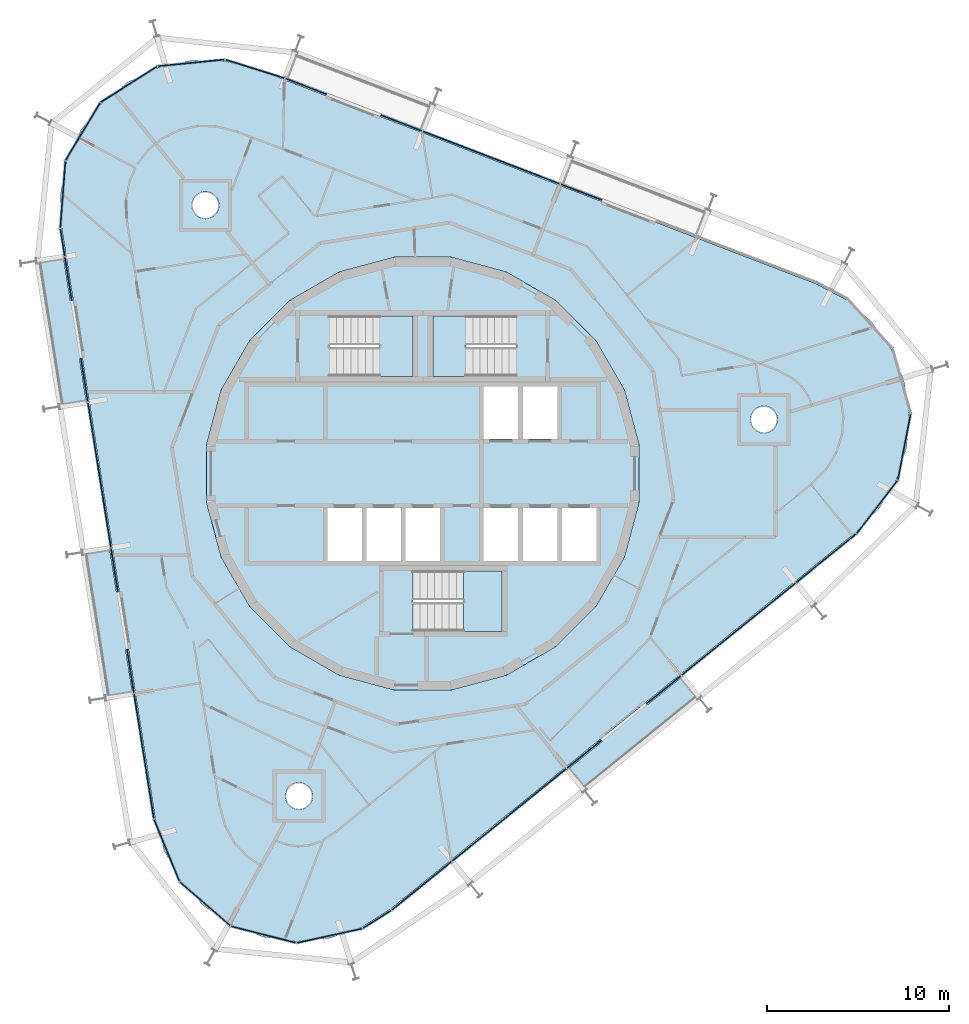
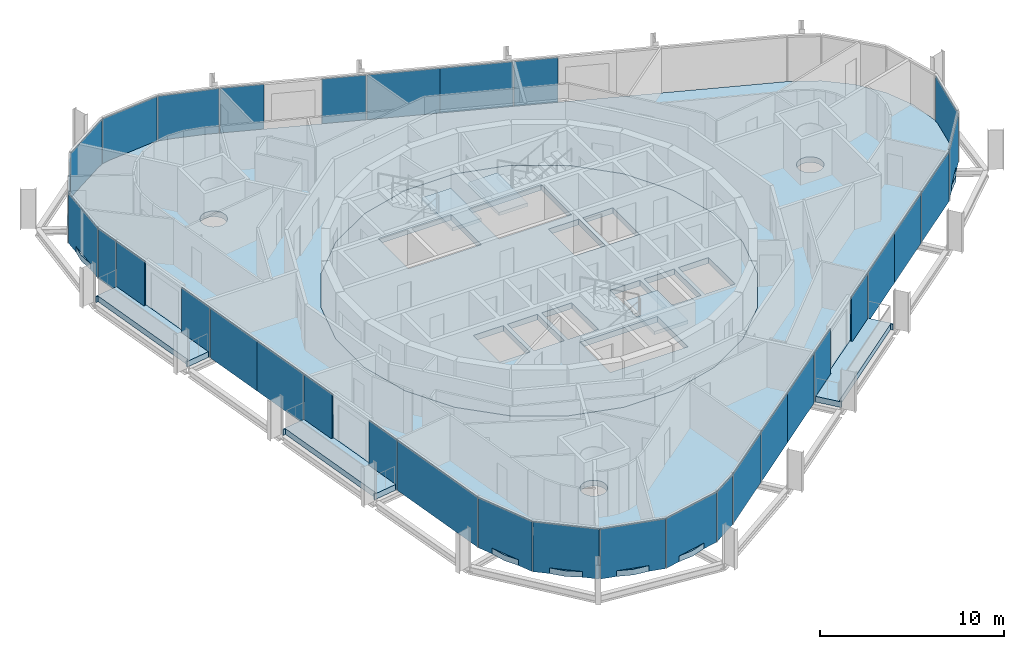
# One storey, part 10 of 17: 33 plates, 8 slabs, 9 elements without a shape of their own.
"""IFC4 building model written with IfcOpenShell, lengths in metres."""

from ifc_helpers import new_model, si_unit, direction, frame, origin, origin_2d, place, context, subcontext, project, spatial, polyline, rectangle, outline, extrude, material, layer, layer_set, type_object, element, aggregate, save


model = new_model("IFC4")

# Units and contexts
model_context = context("Model", 3, precision=1e-05, world=origin(), true_north=direction((0.0, 1.0)))
body_context = subcontext(model_context, "Body", "Model", "MODEL_VIEW")
ifc_project = project(units=[si_unit("LENGTHUNIT", "METRE"), si_unit("AREAUNIT", "SQUARE_METRE"), si_unit("VOLUMEUNIT", "CUBIC_METRE"), si_unit("PLANEANGLEUNIT", "RADIAN"), si_unit("MASSUNIT", "GRAM", prefix="KILO")], contexts=[model_context])

# Site, building, storey
site_placement = place(None, origin())
site = spatial("IfcSite", under=ifc_project, at=site_placement, CompositionType="ELEMENT")
building_placement = place(site_placement, origin())
building = spatial("IfcBuilding", under=site, at=building_placement, Name="Spindle Arch Residences", CompositionType="ELEMENT")
storey_placement = place(building_placement, frame((0.0, 0.0, 287.89990234375)))
storey = spatial("IfcBuildingStorey", under=building, at=storey_placement, Name="L74", CompositionType="ELEMENT", Elevation=287.89990234375)

# Slabs
ifc_material_1 = material(Name="Concrete C40/50", Category="concrete")
ifc_layer_1 = layer(ifc_material_1, 0.3798828125)
ifc_layer_set_1 = layer_set([ifc_layer_1], Name="Balcony slab 380")
slab_type_1 = type_object("IfcSlabType", Name="Balcony slab 380", PredefinedType="FLOOR", material=ifc_layer_set_1)
slab_1_placement = place(storey_placement, frame((0.0, 0.0, -0.3798828125)))
element("IfcSlab", 1, at=slab_1_placement, inside=storey, type_object=slab_type_1, Name="Balcony L74 bay 12", PredefinedType="FLOOR", context=body_context, shape_type="SweptSolid", body=[
    extrude(outline(polyline([(-21.224365234375, 11.611572265625), (-21.212646484375, 11.53759765625), (-21.064453125, 11.56103515625), (-19.843017578125, 3.849609375), (-19.9912109375, 3.826171875), (-19.9794921875, 3.751953125), (-18.5078125, 3.985107421875), (-18.8798828125, 6.334716796875), (-18.721923828125, 6.359619140625), (-19.22265625, 9.520263671875), (-19.380615234375, 9.4951171875), (-19.752685546875, 11.8447265625), (-21.224365234375, 11.611572265625)])), origin(), (0.0, 0.0, 1.0), 0.3798828125),
])
slab_2_placement = place(storey_placement, frame((0.0, 0.0, -0.3798828125)))
element("IfcSlab", 2, at=slab_2_placement, inside=storey, type_object=slab_type_1, Name="Balcony L74 bay 14", PredefinedType="FLOOR", context=body_context, shape_type="SweptSolid", body=[
    extrude(outline(polyline([(-18.687744140625, -4.40380859375), (-18.676025390625, -4.47802734375), (-18.52783203125, -4.45458984375), (-17.306396484375, -12.166015625), (-17.45458984375, -12.189453125), (-17.44287109375, -12.263427734375), (-15.97119140625, -12.030517578125), (-16.343505859375, -9.680908203125), (-16.185302734375, -9.656005859375), (-16.68603515625, -6.495361328125), (-16.843994140625, -6.520263671875), (-17.216064453125, -4.1708984375), (-18.687744140625, -4.40380859375)])), origin(), (0.0, 0.0, 1.0), 0.3798828125),
])
slab_3_placement = place(storey_placement, frame((0.0, 0.0, -0.3798828125)))
element("IfcSlab", 3, at=slab_3_placement, inside=storey, type_object=slab_type_1, Name="Balcony L74 bay 20", PredefinedType="FLOOR", context=body_context, shape_type="SweptSolid", body=[
    extrude(outline(polyline([(8.957275390625, -17.383544921875), (9.015625, -17.33642578125), (8.921142578125, -17.219970703125), (14.98876953125, -12.306396484375), (15.083251953125, -12.4228515625), (15.141357421875, -12.375732421875), (14.203857421875, -11.2177734375), (12.35498046875, -12.71484375), (12.25439453125, -12.590576171875), (9.767578125, -14.604248046875), (9.8681640625, -14.728759765625), (8.01953125, -16.2255859375), (8.957275390625, -17.383544921875)])), origin(), (0.0, 0.0, 1.0), 0.3798828125),
])
ifc_material_2 = material(Name="Concrete C50/60", Category="concrete")
ifc_layer_2 = layer(ifc_material_2, 0.3798828125)
ifc_layer_set_2 = layer_set([ifc_layer_2], Name="Core floor slab 380")
slab_type_2 = type_object("IfcSlabType", Name="Core floor slab 380", PredefinedType="FLOOR", material=ifc_layer_set_2)
slab_4_placement = place(storey_placement, frame((0.0, 0.0, -0.3798828125)))
element("IfcSlab", 4, at=slab_4_placement, inside=storey, type_object=slab_type_2, Name="Core floor L74", PredefinedType="FLOOR", context=body_context, shape_type="SweptSolid", body=[
    extrude(outline(polyline([(1.56640625, -11.897216796875), (4.59228515625, -11.086669921875), (7.30517578125, -9.520263671875), (9.520263671875, -7.30517578125), (11.086669921875, -4.59228515625), (11.897216796875, -1.56640625), (11.897216796875, 1.56640625), (11.086669921875, 4.59228515625), (9.520263671875, 7.30517578125), (7.30517578125, 9.520263671875), (4.59228515625, 11.086669921875), (1.56640625, 11.897216796875), (-1.56640625, 11.897216796875), (-4.59228515625, 11.086669921875), (-7.30517578125, 9.520263671875), (-9.520263671875, 7.30517578125), (-11.086669921875, 4.59228515625), (-11.897216796875, 1.56640625), (-11.897216796875, -1.56640625), (-11.086669921875, -4.59228515625), (-9.520263671875, -7.30517578125), (-7.30517578125, -9.520263671875), (-4.59228515625, -11.086669921875), (-1.56640625, -11.897216796875), (1.56640625, -11.897216796875)]), holes=[polyline([(3.35009765625, 1.89990234375), (5.25, 1.89990234375), (5.25, 4.800048828125), (3.35009765625, 4.800048828125), (3.35009765625, 1.89990234375)]), polyline([(5.5, 1.89990234375), (7.39990234375, 1.89990234375), (7.39990234375, 4.800048828125), (5.5, 4.800048828125), (5.5, 1.89990234375)]), polyline([(-5.25, -4.800048828125), (-3.35009765625, -4.800048828125), (-3.35009765625, -1.89990234375), (-5.25, -1.89990234375), (-5.25, -4.800048828125)]), polyline([(-3.10009765625, -4.800048828125), (-1.199951171875, -4.800048828125), (-1.199951171875, -1.89990234375), (-3.10009765625, -1.89990234375), (-3.10009765625, -4.800048828125)]), polyline([(-0.949951171875, -4.800048828125), (0.949951171875, -4.800048828125), (0.949951171875, -1.89990234375), (-0.949951171875, -1.89990234375), (-0.949951171875, -4.800048828125)]), polyline([(3.35009765625, -4.800048828125), (5.25, -4.800048828125), (5.25, -1.89990234375), (3.35009765625, -1.89990234375), (3.35009765625, -4.800048828125)]), polyline([(5.5, -4.800048828125), (7.39990234375, -4.800048828125), (7.39990234375, -1.89990234375), (5.5, -1.89990234375), (5.5, -4.800048828125)]), polyline([(7.64990234375, -4.800048828125), (9.550048828125, -4.800048828125), (9.550048828125, -1.89990234375), (7.64990234375, -1.89990234375), (7.64990234375, -4.800048828125)]), polyline([(5.1298828125, 8.669921875), (0.550048828125, 8.669921875), (0.550048828125, 5.35009765625), (5.1298828125, 5.35009765625), (5.1298828125, 8.669921875)]), polyline([(-5.1298828125, 5.35009765625), (-0.550048828125, 5.35009765625), (-0.550048828125, 8.669921875), (-5.1298828125, 8.669921875), (-5.1298828125, 5.35009765625)]), polyline([(-0.530029296875, -8.669921875), (4.35009765625, -8.669921875), (4.35009765625, -5.35009765625), (-0.530029296875, -5.35009765625), (-0.530029296875, -8.669921875)])]), origin(), (0.0, 0.0, 1.0), 0.3798828125),
])

# Stair, slab
ifc_material_3 = material(Name="Concrete C50/60", Category="concrete")
stair_type = type_object("IfcStairType", Name="Exit stair 16 risers", PredefinedType="HALF_TURN_STAIR", material=ifc_material_3)
stair_1_placement = place(storey_placement, origin())
stair_1 = element("IfcStair", 5, at=stair_1_placement, inside=storey, type_object=stair_type, Name="L74 Exit stair ST1", PredefinedType="HALF_TURN_STAIR")
ifc_material_4 = material(Name="Concrete C50/60", Category="concrete")
ifc_layer_3 = layer(ifc_material_4, 0.219970703125)
ifc_layer_set_3 = layer_set([ifc_layer_3], Name="Exit stair landing 220")
slab_type_3 = type_object("IfcSlabType", Name="Exit stair landing 220", PredefinedType="LANDING", material=ifc_layer_set_3)
slab_5_placement = place(storey_placement, frame((0.0, 0.0, 1.530029296875)))
slab_5 = element("IfcSlab", 6, at=slab_5_placement, type_object=slab_type_3, Name="ST1 landing 1", PredefinedType="LANDING", context=body_context, shape_type="SweptSolid", body=[
    extrude(outline(polyline([(2.3701171875, 8.669921875), (0.550048828125, 8.669921875), (0.550048828125, 5.35009765625), (2.3701171875, 5.35009765625), (2.3701171875, 8.669921875)])), origin(), (0.0, 0.0, 1.0), 0.219970703125),
])
aggregate(stair_1, [slab_5])

stair_2_placement = place(storey_placement, origin())
stair_2 = element("IfcStair", 7, at=stair_2_placement, inside=storey, type_object=stair_type, Name="L74 Exit stair ST2", PredefinedType="HALF_TURN_STAIR")
slab_6_placement = place(storey_placement, frame((0.0, 0.0, 1.530029296875)))
slab_6 = element("IfcSlab", 8, at=slab_6_placement, type_object=slab_type_3, Name="ST2 landing 1", PredefinedType="LANDING", context=body_context, shape_type="SweptSolid", body=[
    extrude(outline(polyline([(-2.3701171875, 5.35009765625), (-0.550048828125, 5.35009765625), (-0.550048828125, 8.669921875), (-2.3701171875, 8.669921875), (-2.3701171875, 5.35009765625)])), origin(), (0.0, 0.0, 1.0), 0.219970703125),
])
aggregate(stair_2, [slab_6])

stair_3_placement = place(storey_placement, origin())
stair_3 = element("IfcStair", 9, at=stair_3_placement, inside=storey, type_object=stair_type, Name="L74 Exit stair ST3", PredefinedType="HALF_TURN_STAIR")
slab_7_placement = place(storey_placement, frame((0.0, 0.0, 1.530029296875)))
slab_7 = element("IfcSlab", 10, at=slab_7_placement, type_object=slab_type_3, Name="ST3 landing 1", PredefinedType="LANDING", context=body_context, shape_type="SweptSolid", body=[
    extrude(outline(polyline([(2.22998046875, -8.669921875), (4.35009765625, -8.669921875), (4.35009765625, -5.35009765625), (2.22998046875, -5.35009765625), (2.22998046875, -8.669921875)])), origin(), (0.0, 0.0, 1.0), 0.219970703125),
])
aggregate(stair_3, [slab_7])

# Slab
ifc_material_5 = material(Name="Concrete C40/50", Category="concrete")
ifc_layer_4 = layer(ifc_material_5, 0.3798828125)
ifc_layer_set_4 = layer_set([ifc_layer_4], Name="Floor slab 380")
slab_type_4 = type_object("IfcSlabType", Name="Floor slab 380", PredefinedType="FLOOR", material=ifc_layer_set_4)
slab_8_placement = place(storey_placement, frame((0.0, 0.0, -0.3798828125)))
element("IfcSlab", 11, at=slab_8_placement, inside=storey, type_object=slab_type_4, Name="Floor slab L74", PredefinedType="FLOOR", context=body_context, shape_type="SweptSolid", body=[
    extrude(outline(polyline([(-3.341552734375, -24.9423828125), (-5.097900390625, -25.547119140625), (-6.9462890625, -25.73046875), (-8.787109375, -25.482666015625), (-10.521240234375, -24.81689453125), (-12.054931640625, -23.769287109375), (-13.305908203125, -22.396240234375), (-14.20654296875, -20.771484375), (-14.7080078125, -18.983154296875), (-19.854248046875, 13.509033203125), (-19.929931640625, 15.364990234375), (-19.575439453125, 17.188232421875), (-18.81005859375, 18.880859375), (-17.675048828125, 20.35107421875), (-16.231689453125, 21.52001953125), (-14.557373046875, 22.32470703125), (-12.74267578125, 22.721435546875), (-10.885498046875, 22.68896484375), (-9.0859375, 22.22900390625), (21.626220703125, 10.439697265625), (23.271484375, 9.577392578125), (24.67333984375, 8.358642578125), (25.75634765625, 6.849609375), (26.462158203125, 5.131591796875), (26.752685546875, 3.296875), (26.6123046875, 1.444580078125), (26.048583984375, -0.3251953125), (25.092041015625, -1.917236328125), (23.7939453125, -3.24609375), (11.010986328125, -13.597412109375), (-1.77197265625, -23.94873046875), (-3.341552734375, -24.9423828125)]), holes=[polyline([(7.30517578125, -9.520263671875), (9.520263671875, -7.30517578125), (11.086669921875, -4.59228515625), (11.897216796875, -1.56640625), (11.897216796875, 1.56640625), (11.086669921875, 4.59228515625), (9.520263671875, 7.30517578125), (7.30517578125, 9.520263671875), (4.59228515625, 11.086669921875), (1.56640625, 11.897216796875), (-1.56640625, 11.897216796875), (-4.59228515625, 11.086669921875), (-7.30517578125, 9.520263671875), (-9.520263671875, 7.30517578125), (-11.086669921875, 4.59228515625), (-11.897216796875, 1.56640625), (-11.897216796875, -1.56640625), (-11.086669921875, -4.59228515625), (-9.520263671875, -7.30517578125), (-7.30517578125, -9.520263671875), (-4.59228515625, -11.086669921875), (-1.56640625, -11.897216796875), (1.56640625, -11.897216796875), (4.59228515625, -11.086669921875), (7.30517578125, -9.520263671875)]), polyline([(-6.2763671875, -18.261962890625), (-6.18310546875, -18.1484375), (-6.11376953125, -18.018798828125), (-6.071044921875, -17.8779296875), (-6.056640625, -17.731689453125), (-6.071044921875, -17.58544921875), (-6.11376953125, -17.444580078125), (-6.18310546875, -17.31494140625), (-6.2763671875, -17.201416015625), (-6.389892578125, -17.108154296875), (-6.51953125, -17.038818359375), (-6.660400390625, -16.99609375), (-6.806640625, -16.981689453125), (-6.952880859375, -16.99609375), (-7.093505859375, -17.038818359375), (-7.223388671875, -17.108154296875), (-7.3369140625, -17.201416015625), (-7.43017578125, -17.31494140625), (-7.49951171875, -17.444580078125), (-7.542236328125, -17.58544921875), (-7.556640625, -17.731689453125), (-7.542236328125, -17.8779296875), (-7.49951171875, -18.018798828125), (-7.43017578125, -18.1484375), (-7.3369140625, -18.261962890625), (-7.223388671875, -18.355224609375), (-7.093505859375, -18.424560546875), (-6.952880859375, -18.46728515625), (-6.806640625, -18.481689453125), (-6.660400390625, -18.46728515625), (-6.51953125, -18.424560546875), (-6.389892578125, -18.355224609375), (-6.2763671875, -18.261962890625)]), polyline([(-11.3291015625, 14.34375), (-11.260009765625, 14.473388671875), (-11.21728515625, 14.6142578125), (-11.202880859375, 14.760498046875), (-11.21728515625, 14.90673828125), (-11.260009765625, 15.047607421875), (-11.3291015625, 15.17724609375), (-11.422607421875, 15.290771484375), (-11.5361328125, 15.384033203125), (-11.665771484375, 15.453369140625), (-11.806396484375, 15.49609375), (-11.952880859375, 15.510498046875), (-12.09912109375, 15.49609375), (-12.23974609375, 15.453369140625), (-12.369384765625, 15.384033203125), (-12.483154296875, 15.290771484375), (-12.576416015625, 15.17724609375), (-12.645751953125, 15.047607421875), (-12.6884765625, 14.90673828125), (-12.702880859375, 14.760498046875), (-12.6884765625, 14.6142578125), (-12.645751953125, 14.473388671875), (-12.576416015625, 14.34375), (-12.483154296875, 14.230224609375), (-12.369384765625, 14.136962890625), (-12.23974609375, 14.067626953125), (-12.09912109375, 14.02490234375), (-11.952880859375, 14.010498046875), (-11.806396484375, 14.02490234375), (-11.665771484375, 14.067626953125), (-11.5361328125, 14.136962890625), (-11.422607421875, 14.230224609375), (-11.3291015625, 14.34375)]), polyline([(19.383056640625, 2.554443359375), (19.452392578125, 2.68408203125), (19.4951171875, 2.824951171875), (19.509521484375, 2.97119140625), (19.4951171875, 3.117431640625), (19.452392578125, 3.25830078125), (19.383056640625, 3.387939453125), (19.289794921875, 3.50146484375), (19.176025390625, 3.5947265625), (19.04638671875, 3.6640625), (18.90576171875, 3.706787109375), (18.759521484375, 3.72119140625), (18.613037109375, 3.706787109375), (18.472412109375, 3.6640625), (18.3427734375, 3.5947265625), (18.22900390625, 3.50146484375), (18.1357421875, 3.387939453125), (18.06640625, 3.25830078125), (18.023681640625, 3.117431640625), (18.009521484375, 2.97119140625), (18.023681640625, 2.824951171875), (18.06640625, 2.68408203125), (18.1357421875, 2.554443359375), (18.22900390625, 2.44091796875), (18.3427734375, 2.34765625), (18.472412109375, 2.2783203125), (18.613037109375, 2.235595703125), (18.759521484375, 2.22119140625), (18.90576171875, 2.235595703125), (19.04638671875, 2.2783203125), (19.176025390625, 2.34765625), (19.289794921875, 2.44091796875), (19.383056640625, 2.554443359375)])]), origin(), (0.0, 0.0, 1.0), 0.3798828125),
])

# Curtain wall, plates
ifc_material_6 = material(Name="Aluminium bronze unitised frame with tinted glass", Category="aluminium")
ifc_layer_5 = layer(ifc_material_6, 0.159912109375)
ifc_layer_set_5 = layer_set([ifc_layer_5], Name="CW-D corner wall on the fillet arcs")
curtain_wall_type_1 = type_object("IfcCurtainWallType", Name="CW-D corner wall on the fillet arcs", PredefinedType="NOTDEFINED", material=ifc_layer_set_5)
curtain_wall_1_placement = place(storey_placement, origin())
curtain_wall_1 = element("IfcCurtainWall", 12, at=curtain_wall_1_placement, inside=storey, type_object=curtain_wall_type_1, Name="CW-D L74 run 1", PredefinedType="NOTDEFINED")
ifc_material_7 = material(Name="Tinted double glazing over aluminium faced non-combustible spandrel zone (K0)", Category="aluminium")
ifc_layer_6 = layer(ifc_material_7, 0.06005859375)
ifc_layer_set_6 = layer_set([ifc_layer_6], Name="Unitised glass panel with E 60 spandrel zone")
plate_type = type_object("IfcPlateType", Name="Unitised glass panel with E 60 spandrel zone", PredefinedType="CURTAIN_PANEL", material=ifc_layer_set_6)
plate_1_placement = place(storey_placement, frame((22.178466796875, -4.6572265625, -0.3798828125), z_axis=(0.0, 0.0, 1.0), x_axis=(0.777145961457, 0.62932039105, 0.0)))
plate_1 = element("IfcPlate", 13, at=plate_1_placement, type_object=plate_type, Name="CW-D unit 00", PredefinedType="CURTAIN_PANEL", context=body_context, shape_type="SweptSolid", body=[
    extrude(rectangle(XDim=4.227294921875, YDim=0.06005859375, at=origin_2d()), origin(), (0.0, 0.0, 1.0), 3.31005859375),
])
plate_2_placement = place(storey_placement, frame((24.98291015625, -1.833251953125, -0.3798828125), z_axis=(0.0, 0.0, 1.0), x_axis=(0.611066622764, 0.791579170105, 0.0)))
plate_2 = element("IfcPlate", 14, at=plate_2_placement, type_object=plate_type, Name="CW-D unit 01", PredefinedType="CURTAIN_PANEL", context=body_context, shape_type="SweptSolid", body=[
    extrude(rectangle(XDim=3.666748046875, YDim=0.06005859375, at=origin_2d()), origin(), (0.0, 0.0, 1.0), 3.31005859375),
])
plate_3_placement = place(storey_placement, frame((26.47705078125, 1.470947265625, -0.3798828125), z_axis=(0.0, 0.0, 1.0), x_axis=(0.190808994811, 0.981627183558, 0.0)))
plate_3 = element("IfcPlate", 15, at=plate_3_placement, type_object=plate_type, Name="CW-D unit 02", PredefinedType="CURTAIN_PANEL", context=body_context, shape_type="SweptSolid", body=[
    extrude(rectangle(XDim=3.666748046875, YDim=0.06005859375, at=origin_2d()), origin(), (0.0, 0.0, 1.0), 3.31005859375),
])
aggregate(curtain_wall_1, [plate_1, plate_2, plate_3])

ifc_material_8 = material(Name="Aluminium bronze unitised frame with tinted glass", Category="aluminium")
ifc_layer_7 = layer(ifc_material_8, 0.159912109375)
ifc_layer_set_7 = layer_set([ifc_layer_7], Name="CW-C typical residential unitised wall")
curtain_wall_type_2 = type_object("IfcCurtainWallType", Name="CW-C typical residential unitised wall", PredefinedType="NOTDEFINED", material=ifc_layer_set_7)
curtain_wall_2_placement = place(storey_placement, origin())
curtain_wall_2 = element("IfcCurtainWall", 16, at=curtain_wall_2_placement, inside=storey, type_object=curtain_wall_type_2, Name="CW-C L74 run 2", PredefinedType="NOTDEFINED")
plate_4_placement = place(storey_placement, frame((8.7197265625, 15.47998046875, -0.3798828125), z_axis=(0.0, 0.0, 1.0), x_axis=(-0.933580426497, 0.358367949545, 0.0)))
plate_4 = element("IfcPlate", 17, at=plate_4_placement, type_object=plate_type, Name="CW-C unit 05R", PredefinedType="CURTAIN_PANEL", context=body_context, shape_type="SweptSolid", body=[
    extrude(rectangle(XDim=2.423828125, YDim=0.06005859375, at=origin_2d()), origin(), (0.0, 0.0, 1.0), 3.31005859375),
])
plate_5_placement = place(storey_placement, frame((5.654052734375, 16.65673828125, -0.3798828125), z_axis=(0.0, 0.0, 1.0), x_axis=(-0.933580426497, 0.358367949545, 0.0)))
plate_5 = element("IfcPlate", 18, at=plate_5_placement, type_object=plate_type, Name="CW-C unit 06A", PredefinedType="CURTAIN_PANEL", context=body_context, shape_type="SweptSolid", body=[
    extrude(rectangle(XDim=4.023681640625, YDim=0.06005859375, at=origin_2d()), origin(), (0.0, 0.0, 1.0), 3.31005859375),
])
plate_6_placement = place(storey_placement, frame((1.897705078125, 18.0986328125, -0.3798828125), z_axis=(0.0, 0.0, 1.0), x_axis=(-0.933580426497, 0.358367949545, 0.0)))
plate_6 = element("IfcPlate", 19, at=plate_6_placement, type_object=plate_type, Name="CW-C unit 06B", PredefinedType="CURTAIN_PANEL", context=body_context, shape_type="SweptSolid", body=[
    extrude(rectangle(XDim=4.023681640625, YDim=0.06005859375, at=origin_2d()), origin(), (0.0, 0.0, 1.0), 3.31005859375),
])
plate_7_placement = place(storey_placement, frame((-1.16796875, 19.275390625, -0.3798828125), z_axis=(0.0, 0.0, 1.0), x_axis=(-0.933580426497, 0.358367949545, 0.0)))
plate_7 = element("IfcPlate", 20, at=plate_7_placement, type_object=plate_type, Name="CW-C unit 07L", PredefinedType="CURTAIN_PANEL", context=body_context, shape_type="SweptSolid", body=[
    extrude(rectangle(XDim=2.423828125, YDim=0.06005859375, at=origin_2d()), origin(), (0.0, 0.0, 1.0), 3.31005859375),
])
plate_8_placement = place(storey_placement, frame((-6.41845703125, 21.290771484375, -0.3798828125), z_axis=(0.0, 0.0, 1.0), x_axis=(-0.933580426497, 0.358367949545, 0.0)))
plate_8 = element("IfcPlate", 21, at=plate_8_placement, type_object=plate_type, Name="CW-C unit 07R", PredefinedType="CURTAIN_PANEL", context=body_context, shape_type="SweptSolid", body=[
    extrude(rectangle(XDim=2.423828125, YDim=0.06005859375, at=origin_2d()), origin(), (0.0, 0.0, 1.0), 3.31005859375),
])
aggregate(curtain_wall_2, [plate_4, plate_5, plate_6, plate_7, plate_8])

curtain_wall_3_placement = place(storey_placement, origin())
curtain_wall_3 = element("IfcCurtainWall", 22, at=curtain_wall_3_placement, inside=storey, type_object=curtain_wall_type_1, Name="CW-D L74 run 3", PredefinedType="NOTDEFINED")
plate_9_placement = place(storey_placement, frame((-9.226318359375, 22.252197265625, -0.3798828125), z_axis=(0.0, 0.0, 1.0), x_axis=(-0.954314920262, 0.298802665594, 0.0)))
plate_9 = element("IfcPlate", 23, at=plate_9_placement, type_object=plate_type, Name="CW-D unit 00", PredefinedType="CURTAIN_PANEL", context=body_context, shape_type="SweptSolid", body=[
    extrude(rectangle(XDim=3.39501953125, YDim=0.06005859375, at=origin_2d()), origin(), (0.0, 0.0, 1.0), 3.31005859375),
])
plate_10_placement = place(storey_placement, frame((-12.729248046875, 22.584228515625, -0.3798828125), z_axis=(0.0, 0.0, 1.0), x_axis=(-0.995113183485, -0.098740832762, 0.0)))
plate_10 = element("IfcPlate", 24, at=plate_10_placement, type_object=plate_type, Name="CW-D unit 01", PredefinedType="CURTAIN_PANEL", context=body_context, shape_type="SweptSolid", body=[
    extrude(rectangle(XDim=3.666748046875, YDim=0.06005859375, at=origin_2d()), origin(), (0.0, 0.0, 1.0), 3.31005859375),
])
plate_11_placement = place(storey_placement, frame((-16.157958984375, 21.403564453125, -0.3798828125), z_axis=(0.0, 0.0, 1.0), x_axis=(-0.844950814707, -0.534844015322, 0.0)))
plate_11 = element("IfcPlate", 25, at=plate_11_placement, type_object=plate_type, Name="CW-D unit 02", PredefinedType="CURTAIN_PANEL", context=body_context, shape_type="SweptSolid", body=[
    extrude(rectangle(XDim=3.666748046875, YDim=0.06005859375, at=origin_2d()), origin(), (0.0, 0.0, 1.0), 3.31005859375),
])
plate_12_placement = place(storey_placement, frame((-18.692138671875, 18.809814453125, -0.3798828125), z_axis=(0.0, 0.0, 1.0), x_axis=(-0.515038072875, -0.857167301925, 0.0)))
plate_12 = element("IfcPlate", 26, at=plate_12_placement, type_object=plate_type, Name="CW-D unit 03", PredefinedType="CURTAIN_PANEL", context=body_context, shape_type="SweptSolid", body=[
    extrude(rectangle(XDim=3.666748046875, YDim=0.06005859375, at=origin_2d()), origin(), (0.0, 0.0, 1.0), 3.31005859375),
])
plate_13_placement = place(storey_placement, frame((-19.79248046875, 15.3544921875, -0.3798828125), z_axis=(0.0, 0.0, 1.0), x_axis=(-0.07555884997, -0.997141344139, 0.0)))
plate_13 = element("IfcPlate", 27, at=plate_13_placement, type_object=plate_type, Name="CW-D unit 04", PredefinedType="CURTAIN_PANEL", context=body_context, shape_type="SweptSolid", body=[
    extrude(rectangle(XDim=3.666748046875, YDim=0.06005859375, at=origin_2d()), origin(), (0.0, 0.0, 1.0), 3.31005859375),
])
plate_14_placement = place(storey_placement, frame((-19.809326171875, 12.7138671875, -0.3798828125), z_axis=(0.0, 0.0, 1.0), x_axis=(0.15643446504, -0.987688340595, 0.0)))
plate_14 = element("IfcPlate", 28, at=plate_14_placement, type_object=plate_type, Name="CW-D unit 05", PredefinedType="CURTAIN_PANEL", context=body_context, shape_type="SweptSolid", body=[
    extrude(rectangle(XDim=1.524658203125, YDim=0.06005859375, at=origin_2d()), origin(), (0.0, 0.0, 1.0), 3.31005859375),
])
aggregate(curtain_wall_3, [plate_9, plate_10, plate_11, plate_12, plate_13, plate_14])

curtain_wall_4_placement = place(storey_placement, origin())
curtain_wall_4 = element("IfcCurtainWall", 29, at=curtain_wall_4_placement, inside=storey, type_object=curtain_wall_type_2, Name="CW-C L74 run 4", PredefinedType="NOTDEFINED")
plate_15_placement = place(storey_placement, frame((-19.4912109375, 10.704833984375, -0.3798828125), z_axis=(0.0, 0.0, 1.0), x_axis=(0.15643446504, -0.987688340595, 0.0)))
plate_15 = element("IfcPlate", 30, at=plate_15_placement, type_object=plate_type, Name="CW-C unit 11L", PredefinedType="CURTAIN_PANEL", context=body_context, shape_type="SweptSolid", body=[
    extrude(rectangle(XDim=2.423828125, YDim=0.06005859375, at=origin_2d()), origin(), (0.0, 0.0, 1.0), 3.31005859375),
])
plate_16_placement = place(storey_placement, frame((-18.611328125, 5.150146484375, -0.3798828125), z_axis=(0.0, 0.0, 1.0), x_axis=(0.15643446504, -0.987688340595, 0.0)))
plate_16 = element("IfcPlate", 31, at=plate_16_placement, type_object=plate_type, Name="CW-C unit 11R", PredefinedType="CURTAIN_PANEL", context=body_context, shape_type="SweptSolid", body=[
    extrude(rectangle(XDim=2.423828125, YDim=0.06005859375, at=origin_2d()), origin(), (0.0, 0.0, 1.0), 3.31005859375),
])
plate_17_placement = place(storey_placement, frame((-18.09765625, 1.90673828125, -0.3798828125), z_axis=(0.0, 0.0, 1.0), x_axis=(0.15643446504, -0.987688340595, 0.0)))
plate_17 = element("IfcPlate", 32, at=plate_17_placement, type_object=plate_type, Name="CW-C unit 12A", PredefinedType="CURTAIN_PANEL", context=body_context, shape_type="SweptSolid", body=[
    extrude(rectangle(XDim=4.023681640625, YDim=0.06005859375, at=origin_2d()), origin(), (0.0, 0.0, 1.0), 3.31005859375),
])
plate_18_placement = place(storey_placement, frame((-17.46826171875, -2.0673828125, -0.3798828125), z_axis=(0.0, 0.0, 1.0), x_axis=(0.15643446504, -0.987688340595, 0.0)))
plate_18 = element("IfcPlate", 33, at=plate_18_placement, type_object=plate_type, Name="CW-C unit 12B", PredefinedType="CURTAIN_PANEL", context=body_context, shape_type="SweptSolid", body=[
    extrude(rectangle(XDim=4.023681640625, YDim=0.06005859375, at=origin_2d()), origin(), (0.0, 0.0, 1.0), 3.31005859375),
])
plate_19_placement = place(storey_placement, frame((-16.95458984375, -5.310791015625, -0.3798828125), z_axis=(0.0, 0.0, 1.0), x_axis=(0.15643446504, -0.987688340595, 0.0)))
plate_19 = element("IfcPlate", 34, at=plate_19_placement, type_object=plate_type, Name="CW-C unit 13L", PredefinedType="CURTAIN_PANEL", context=body_context, shape_type="SweptSolid", body=[
    extrude(rectangle(XDim=2.423828125, YDim=0.06005859375, at=origin_2d()), origin(), (0.0, 0.0, 1.0), 3.31005859375),
])
plate_20_placement = place(storey_placement, frame((-16.07470703125, -10.865478515625, -0.3798828125), z_axis=(0.0, 0.0, 1.0), x_axis=(0.15643446504, -0.987688340595, 0.0)))
plate_20 = element("IfcPlate", 35, at=plate_20_placement, type_object=plate_type, Name="CW-C unit 13R", PredefinedType="CURTAIN_PANEL", context=body_context, shape_type="SweptSolid", body=[
    extrude(rectangle(XDim=2.423828125, YDim=0.06005859375, at=origin_2d()), origin(), (0.0, 0.0, 1.0), 3.31005859375),
])
aggregate(curtain_wall_4, [plate_15, plate_16, plate_17, plate_18, plate_19, plate_20])

curtain_wall_5_placement = place(storey_placement, origin())
curtain_wall_5 = element("IfcCurtainWall", 36, at=curtain_wall_5_placement, inside=storey, type_object=curtain_wall_type_1, Name="CW-D L74 run 5", PredefinedType="NOTDEFINED")
plate_21_placement = place(storey_placement, frame((-15.333740234375, -15.5439453125, -0.3798828125), z_axis=(0.0, 0.0, 1.0), x_axis=(0.15643446504, -0.987688340595, 0.0)))
plate_21 = element("IfcPlate", 37, at=plate_21_placement, type_object=plate_type, Name="CW-D unit 00", PredefinedType="CURTAIN_PANEL", context=body_context, shape_type="SweptSolid", body=[
    extrude(rectangle(XDim=6.9296875, YDim=0.06005859375, at=origin_2d()), origin(), (0.0, 0.0, 1.0), 3.31005859375),
])
plate_22_placement = place(storey_placement, frame((-14.0791015625, -20.71923828125, -0.3798828125), z_axis=(0.0, 0.0, 1.0), x_axis=(0.379994360085, -0.92498880334, 0.0)))
plate_22 = element("IfcPlate", 38, at=plate_22_placement, type_object=plate_type, Name="CW-D unit 01", PredefinedType="CURTAIN_PANEL", context=body_context, shape_type="SweptSolid", body=[
    extrude(rectangle(XDim=3.666748046875, YDim=0.06005859375, at=origin_2d()), origin(), (0.0, 0.0, 1.0), 3.31005859375),
])
plate_23_placement = place(storey_placement, frame((-11.964599609375, -23.665283203125, -0.3798828125), z_axis=(0.0, 0.0, 1.0), x_axis=(0.754709583074, -0.656059025711, 0.0)))
plate_23 = element("IfcPlate", 39, at=plate_23_placement, type_object=plate_type, Name="CW-D unit 02", PredefinedType="CURTAIN_PANEL", context=body_context, shape_type="SweptSolid", body=[
    extrude(rectangle(XDim=3.666748046875, YDim=0.06005859375, at=origin_2d()), origin(), (0.0, 0.0, 1.0), 3.31005859375),
])
plate_24_placement = place(storey_placement, frame((-8.7529296875, -25.34912109375, -0.3798828125), z_axis=(0.0, 0.0, 1.0), x_axis=(0.968871869392, -0.247562720743, 0.0)))
plate_24 = element("IfcPlate", 40, at=plate_24_placement, type_object=plate_type, Name="CW-D unit 03", PredefinedType="CURTAIN_PANEL", context=body_context, shape_type="SweptSolid", body=[
    extrude(rectangle(XDim=3.666748046875, YDim=0.06005859375, at=origin_2d()), origin(), (0.0, 0.0, 1.0), 3.31005859375),
])
plate_25_placement = place(storey_placement, frame((-5.127197265625, -25.412353515625, -0.3798828125), z_axis=(0.0, 0.0, 1.0), x_axis=(0.976921473489, 0.213598770213, 0.0)))
plate_25 = element("IfcPlate", 41, at=plate_25_placement, type_object=plate_type, Name="CW-D unit 04", PredefinedType="CURTAIN_PANEL", context=body_context, shape_type="SweptSolid", body=[
    extrude(rectangle(XDim=3.666748046875, YDim=0.06005859375, at=origin_2d()), origin(), (0.0, 0.0, 1.0), 3.31005859375),
])
plate_26_placement = place(storey_placement, frame((-2.51416015625, -24.5126953125, -0.3798828125), z_axis=(0.0, 0.0, 1.0), x_axis=(0.844950816658, 0.53484401224, 0.0)))
plate_26 = element("IfcPlate", 42, at=plate_26_placement, type_object=plate_type, Name="CW-D unit 05", PredefinedType="CURTAIN_PANEL", context=body_context, shape_type="SweptSolid", body=[
    extrude(rectangle(XDim=1.816162109375, YDim=0.06005859375, at=origin_2d()), origin(), (0.0, 0.0, 1.0), 3.31005859375),
])
plate_27_placement = place(storey_placement, frame((-0.0556640625, -22.662109375, -0.3798828125), z_axis=(0.0, 0.0, 1.0), x_axis=(0.777145961457, 0.62932039105, 0.0)))
plate_27 = element("IfcPlate", 43, at=plate_27_placement, type_object=plate_type, Name="CW-D unit 06", PredefinedType="CURTAIN_PANEL", context=body_context, shape_type="SweptSolid", body=[
    extrude(rectangle(XDim=4.227294921875, YDim=0.06005859375, at=origin_2d()), origin(), (0.0, 0.0, 1.0), 3.31005859375),
])
aggregate(curtain_wall_5, [plate_21, plate_22, plate_23, plate_24, plate_25, plate_26, plate_27])

curtain_wall_6_placement = place(storey_placement, origin())
curtain_wall_6 = element("IfcCurtainWall", 44, at=curtain_wall_6_placement, inside=storey, type_object=curtain_wall_type_2, Name="CW-C L74 run 6", PredefinedType="NOTDEFINED")
plate_28_placement = place(storey_placement, frame((3.197021484375, -20.028076171875, -0.3798828125), z_axis=(0.0, 0.0, 1.0), x_axis=(0.777145961457, 0.62932039105, 0.0)))
plate_28 = element("IfcPlate", 45, at=plate_28_placement, type_object=plate_type, Name="CW-C unit 18A", PredefinedType="CURTAIN_PANEL", context=body_context, shape_type="SweptSolid", body=[
    extrude(rectangle(XDim=4.023681640625, YDim=0.06005859375, at=origin_2d()), origin(), (0.0, 0.0, 1.0), 3.31005859375),
])
plate_29_placement = place(storey_placement, frame((6.323974609375, -17.49560546875, -0.3798828125), z_axis=(0.0, 0.0, 1.0), x_axis=(0.777145961457, 0.62932039105, 0.0)))
plate_29 = element("IfcPlate", 46, at=plate_29_placement, type_object=plate_type, Name="CW-C unit 18B", PredefinedType="CURTAIN_PANEL", context=body_context, shape_type="SweptSolid", body=[
    extrude(rectangle(XDim=4.023681640625, YDim=0.06005859375, at=origin_2d()), origin(), (0.0, 0.0, 1.0), 3.31005859375),
])
plate_30_placement = place(storey_placement, frame((8.8759765625, -15.42919921875, -0.3798828125), z_axis=(0.0, 0.0, 1.0), x_axis=(0.777145961457, 0.62932039105, 0.0)))
plate_30 = element("IfcPlate", 47, at=plate_30_placement, type_object=plate_type, Name="CW-C unit 19L", PredefinedType="CURTAIN_PANEL", context=body_context, shape_type="SweptSolid", body=[
    extrude(rectangle(XDim=2.423828125, YDim=0.06005859375, at=origin_2d()), origin(), (0.0, 0.0, 1.0), 3.31005859375),
])
plate_31_placement = place(storey_placement, frame((13.24658203125, -11.889892578125, -0.3798828125), z_axis=(0.0, 0.0, 1.0), x_axis=(0.777145961457, 0.62932039105, 0.0)))
plate_31 = element("IfcPlate", 48, at=plate_31_placement, type_object=plate_type, Name="CW-C unit 19R", PredefinedType="CURTAIN_PANEL", context=body_context, shape_type="SweptSolid", body=[
    extrude(rectangle(XDim=2.423828125, YDim=0.06005859375, at=origin_2d()), origin(), (0.0, 0.0, 1.0), 3.31005859375),
])
plate_32_placement = place(storey_placement, frame((15.798583984375, -9.823486328125, -0.3798828125), z_axis=(0.0, 0.0, 1.0), x_axis=(0.777145961457, 0.62932039105, 0.0)))
plate_32 = element("IfcPlate", 49, at=plate_32_placement, type_object=plate_type, Name="CW-C unit 00A", PredefinedType="CURTAIN_PANEL", context=body_context, shape_type="SweptSolid", body=[
    extrude(rectangle(XDim=4.023681640625, YDim=0.06005859375, at=origin_2d()), origin(), (0.0, 0.0, 1.0), 3.31005859375),
])
plate_33_placement = place(storey_placement, frame((18.925537109375, -7.291259765625, -0.3798828125), z_axis=(0.0, 0.0, 1.0), x_axis=(0.777145961457, 0.62932039105, 0.0)))
plate_33 = element("IfcPlate", 50, at=plate_33_placement, type_object=plate_type, Name="CW-C unit 00B", PredefinedType="CURTAIN_PANEL", context=body_context, shape_type="SweptSolid", body=[
    extrude(rectangle(XDim=4.023681640625, YDim=0.06005859375, at=origin_2d()), origin(), (0.0, 0.0, 1.0), 3.31005859375),
])
aggregate(curtain_wall_6, [plate_28, plate_29, plate_30, plate_31, plate_32, plate_33])

save(model, "model.ifc")
